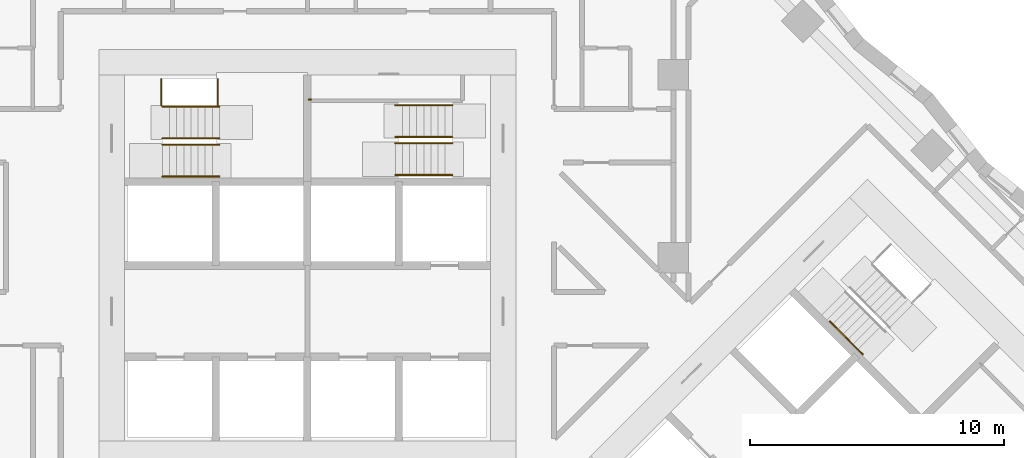
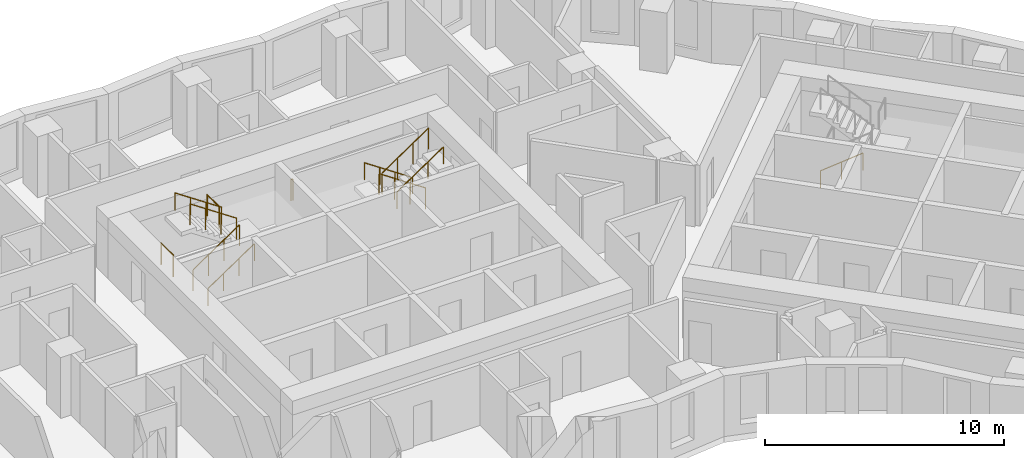
# One storey, part 11 of 12: 12 railings.
"""IFC4 building model written with IfcOpenShell, lengths in metres."""

from ifc_helpers import new_model, si_unit, direction, frame, origin, origin_2d, place, context, subcontext, project, spatial, circle, extrude, material, type_object, element, save


model = new_model("IFC4")

# Units and contexts
model_context = context("Model", 3, precision=1e-05, world=origin(), true_north=direction((0.0, 1.0)))
body_context = subcontext(model_context, "Body", "Model", "MODEL_VIEW")
ifc_project = project(units=[si_unit("LENGTHUNIT", "METRE"), si_unit("AREAUNIT", "SQUARE_METRE"), si_unit("VOLUMEUNIT", "CUBIC_METRE"), si_unit("PLANEANGLEUNIT", "RADIAN"), si_unit("MASSUNIT", "GRAM", prefix="KILO")], contexts=[model_context])

# Site, building, storey
site_placement = place(None, origin())
site = spatial("IfcSite", under=ifc_project, at=site_placement, CompositionType="ELEMENT")
building_placement = place(site_placement, origin())
building = spatial("IfcBuilding", under=site, at=building_placement, Name="Windrow Commons", CompositionType="ELEMENT")
storey_placement = place(building_placement, frame((0.0, 0.0, 37.2)))
storey = spatial("IfcBuildingStorey", under=building, at=storey_placement, Name="L09", CompositionType="ELEMENT", Elevation=37.2)

# Railings
ifc_material_1 = material(Name="Steel S355", Category="steel")
railing_type_1 = type_object("IfcRailingType", Name="Core stair guard 1100", PredefinedType="GUARDRAIL", material=ifc_material_1)
railing_1_placement = place(storey_placement, frame((59.1, 62.05, 0.1889)))
element("IfcRailing", 1, at=railing_1_placement, inside=storey, type_object=railing_type_1, Name="L09 ST-A1 stair guard 1", PredefinedType="GUARDRAIL", context=body_context, shape_type="SweptSolid", body=[
    extrude(circle(Radius=0.024, at=origin_2d()), frame((0.0, 0.0, 1.076), z_axis=(0.8290030985, 0.0, 0.5592440099), x_axis=(0.0, 1.0, 0.0)), (0.0, 0.0, 1.0), 2.702),
    extrude(circle(Radius=0.021, at=origin_2d()), origin(), (0.0, 0.0, 1.0), 1.052),
    extrude(circle(Radius=0.021, at=origin_2d()), frame((0.7467, 0.0, 0.5037)), (0.0, 0.0, 1.0), 1.052),
    extrude(circle(Radius=0.021, at=origin_2d()), frame((1.4933, 0.0, 1.0074)), (0.0, 0.0, 1.0), 1.052),
    extrude(circle(Radius=0.021, at=origin_2d()), frame((2.24, 0.0, 1.5111)), (0.0, 0.0, 1.0), 1.052),
])
railing_2_placement = place(storey_placement, frame((61.34, 62.3, 1.8889)))
element("IfcRailing", 2, at=railing_2_placement, inside=storey, type_object=railing_type_1, Name="L09 ST-A1 stair guard 2", PredefinedType="GUARDRAIL", context=body_context, shape_type="SweptSolid", body=[
    extrude(circle(Radius=0.024, at=origin_2d()), frame((0.0, 0.0, 1.076), z_axis=(-0.8290030985, 0.0, 0.5592440099), x_axis=(0.0, -1.0, 0.0)), (0.0, 0.0, 1.0), 2.702),
    extrude(circle(Radius=0.021, at=origin_2d()), origin(), (0.0, 0.0, 1.0), 1.052),
    extrude(circle(Radius=0.021, at=origin_2d()), frame((-0.7467, 0.0, 0.5037)), (0.0, 0.0, 1.0), 1.052),
    extrude(circle(Radius=0.021, at=origin_2d()), frame((-1.4933, 0.0, 1.0074)), (0.0, 0.0, 1.0), 1.052),
    extrude(circle(Radius=0.021, at=origin_2d()), frame((-2.24, 0.0, 1.5111)), (0.0, 0.0, 1.0), 1.052),
])
for number, where, name in (
    (3, (59.05, 63.6, 0.0), "L09 ST-A1 stair guard 3"),
    (4, (61.27, 63.6, 1.7), "L09 ST-A1 stair guard 4"),
):
    element("IfcRailing", number, at=place(storey_placement, frame(where)), inside=storey, type_object=railing_type_1, Name=name, PredefinedType="GUARDRAIL", context=body_context, shape_type="SweptSolid", body=[
        extrude(circle(Radius=0.024, at=origin_2d()), frame((0.0, 0.0, 1.076), z_axis=(0.0, 1.0, 0.0), x_axis=(-1.0, 0.0, 0.0)), (0.0, 0.0, 1.0), 1.03),
        extrude(circle(Radius=0.021, at=origin_2d()), origin(), (0.0, 0.0, 1.0), 1.052),
        extrude(circle(Radius=0.021, at=origin_2d()), frame((0.0, 1.03, 0.0)), (0.0, 0.0, 1.0), 1.052),
    ])
railing_3_placement = place(storey_placement, frame((70.5, 62.355, 0.1889)))
element("IfcRailing", 5, at=railing_3_placement, inside=storey, type_object=railing_type_1, Name="L09 ST-A2 stair guard 1", PredefinedType="GUARDRAIL", context=body_context, shape_type="SweptSolid", body=[
    extrude(circle(Radius=0.024, at=origin_2d()), frame((0.0, 0.0, 1.076), z_axis=(-0.8290030985, 0.0, 0.5592440099), x_axis=(0.0, -1.0, 0.0)), (0.0, 0.0, 1.0), 2.702),
    extrude(circle(Radius=0.021, at=origin_2d()), origin(), (0.0, 0.0, 1.0), 1.052),
    extrude(circle(Radius=0.021, at=origin_2d()), frame((-0.7467, 0.0, 0.5037)), (0.0, 0.0, 1.0), 1.052),
    extrude(circle(Radius=0.021, at=origin_2d()), frame((-1.4933, 0.0, 1.0074)), (0.0, 0.0, 1.0), 1.052),
    extrude(circle(Radius=0.021, at=origin_2d()), frame((-2.24, 0.0, 1.5111)), (0.0, 0.0, 1.0), 1.052),
])
railing_4_placement = place(storey_placement, frame((68.26, 62.105, 1.8889)))
element("IfcRailing", 6, at=railing_4_placement, inside=storey, type_object=railing_type_1, Name="L09 ST-A2 stair guard 2", PredefinedType="GUARDRAIL", context=body_context, shape_type="SweptSolid", body=[
    extrude(circle(Radius=0.024, at=origin_2d()), frame((0.0, 0.0, 1.076), z_axis=(0.8290030985, 0.0, 0.5592440099), x_axis=(0.0, 1.0, 0.0)), (0.0, 0.0, 1.0), 2.702),
    extrude(circle(Radius=0.021, at=origin_2d()), origin(), (0.0, 0.0, 1.0), 1.052),
    extrude(circle(Radius=0.021, at=origin_2d()), frame((0.7467, 0.0, 0.5037)), (0.0, 0.0, 1.0), 1.052),
    extrude(circle(Radius=0.021, at=origin_2d()), frame((1.4933, 0.0, 1.0074)), (0.0, 0.0, 1.0), 1.052),
    extrude(circle(Radius=0.021, at=origin_2d()), frame((2.24, 0.0, 1.5111)), (0.0, 0.0, 1.0), 1.052),
])
railing_5_placement = place(storey_placement, frame((64.95, 63.825, 1.7)))
element("IfcRailing", 7, at=railing_5_placement, inside=storey, type_object=railing_type_1, Name="L09 ST-A2 stair guard 3", PredefinedType="GUARDRAIL", context=body_context, shape_type="SweptSolid", body=[
    extrude(circle(Radius=0.024, at=origin_2d()), frame((0.0, 0.0, 1.076), z_axis=(-1.0, 0.0, 0.0), x_axis=(0.0, -1.0, 0.0)), (0.0, 0.0, 1.0), 0.1),
    extrude(circle(Radius=0.021, at=origin_2d()), origin(), (0.0, 0.0, 1.0), 1.052),
    extrude(circle(Radius=0.021, at=origin_2d()), frame((-0.1, 0.0, 0.0)), (0.0, 0.0, 1.0), 1.052),
])
ifc_material_2 = material(Name="Steel S355", Category="steel")
railing_type_2 = type_object("IfcRailingType", Name="Core stair handrail 900", PredefinedType="HANDRAIL", material=ifc_material_2)
railing_6_placement = place(storey_placement, frame((59.1, 60.8, 0.1889)))
element("IfcRailing", 8, at=railing_6_placement, inside=storey, type_object=railing_type_2, Name="L09 ST-A1 stair handrail 1", PredefinedType="HANDRAIL", context=body_context, shape_type="SweptSolid", body=[
    extrude(circle(Radius=0.024, at=origin_2d()), frame((0.0, 0.0, 0.876), z_axis=(0.8290030985, 0.0, 0.5592440099), x_axis=(0.0, 1.0, 0.0)), (0.0, 0.0, 1.0), 2.702),
    extrude(circle(Radius=0.021, at=origin_2d()), origin(), (0.0, 0.0, 1.0), 0.852),
    extrude(circle(Radius=0.021, at=origin_2d()), frame((0.7467, 0.0, 0.5037)), (0.0, 0.0, 1.0), 0.852),
    extrude(circle(Radius=0.021, at=origin_2d()), frame((1.4933, 0.0, 1.0074)), (0.0, 0.0, 1.0), 0.852),
    extrude(circle(Radius=0.021, at=origin_2d()), frame((2.24, 0.0, 1.5111)), (0.0, 0.0, 1.0), 0.852),
])
for number, where, name in (
    (9, (61.34, 63.55, 1.8889), "L09 ST-A1 stair handrail 2"),
    (10, (70.5, 63.605, 0.1889), "L09 ST-A2 stair handrail 1"),
):
    element("IfcRailing", number, at=place(storey_placement, frame(where)), inside=storey, type_object=railing_type_2, Name=name, PredefinedType="HANDRAIL", context=body_context, shape_type="SweptSolid", body=[
        extrude(circle(Radius=0.024, at=origin_2d()), frame((0.0, 0.0, 0.876), z_axis=(-0.8290030985, 0.0, 0.5592440099), x_axis=(0.0, -1.0, 0.0)), (0.0, 0.0, 1.0), 2.702),
        extrude(circle(Radius=0.021, at=origin_2d()), origin(), (0.0, 0.0, 1.0), 0.852),
        extrude(circle(Radius=0.021, at=origin_2d()), frame((-0.7467, 0.0, 0.5037)), (0.0, 0.0, 1.0), 0.852),
        extrude(circle(Radius=0.021, at=origin_2d()), frame((-1.4933, 0.0, 1.0074)), (0.0, 0.0, 1.0), 0.852),
        extrude(circle(Radius=0.021, at=origin_2d()), frame((-2.24, 0.0, 1.5111)), (0.0, 0.0, 1.0), 0.852),
    ])
railing_7_placement = place(storey_placement, frame((68.26, 60.855, 1.8889)))
element("IfcRailing", 11, at=railing_7_placement, inside=storey, type_object=railing_type_2, Name="L09 ST-A2 stair handrail 2", PredefinedType="HANDRAIL", context=body_context, shape_type="SweptSolid", body=[
    extrude(circle(Radius=0.024, at=origin_2d()), frame((0.0, 0.0, 0.876), z_axis=(0.8290030985, 0.0, 0.5592440099), x_axis=(0.0, 1.0, 0.0)), (0.0, 0.0, 1.0), 2.702),
    extrude(circle(Radius=0.021, at=origin_2d()), origin(), (0.0, 0.0, 1.0), 0.852),
    extrude(circle(Radius=0.021, at=origin_2d()), frame((0.7467, 0.0, 0.5037)), (0.0, 0.0, 1.0), 0.852),
    extrude(circle(Radius=0.021, at=origin_2d()), frame((1.4933, 0.0, 1.0074)), (0.0, 0.0, 1.0), 0.852),
    extrude(circle(Radius=0.021, at=origin_2d()), frame((2.24, 0.0, 1.5111)), (0.0, 0.0, 1.0), 0.852),
])
railing_8_placement = place(storey_placement, frame((85.3518, 55.1001, 0.4587)))
element("IfcRailing", 12, at=railing_8_placement, inside=storey, type_object=railing_type_2, Name="L09 ST-B1 stair handrail 1", PredefinedType="HANDRAIL", context=body_context, shape_type="SweptSolid", body=[
    extrude(circle(Radius=0.024, at=origin_2d()), frame((0.0, 0.0, 0.876), z_axis=(0.586206706, -0.5861616513, 0.5592639952), x_axis=(0.7070796062, 0.7071339551, 0.0)), (0.0, 0.0, 1.0), 2.2195),
    extrude(circle(Radius=0.021, at=origin_2d()), origin(), (0.0, 0.0, 1.0), 0.852),
    extrude(circle(Radius=0.021, at=origin_2d()), frame((0.6506, -0.6505, 0.6206)), (0.0, 0.0, 1.0), 0.852),
    extrude(circle(Radius=0.021, at=origin_2d()), frame((1.3011, -1.301, 1.2413)), (0.0, 0.0, 1.0), 0.852),
])

save(model, "model.ifc")
